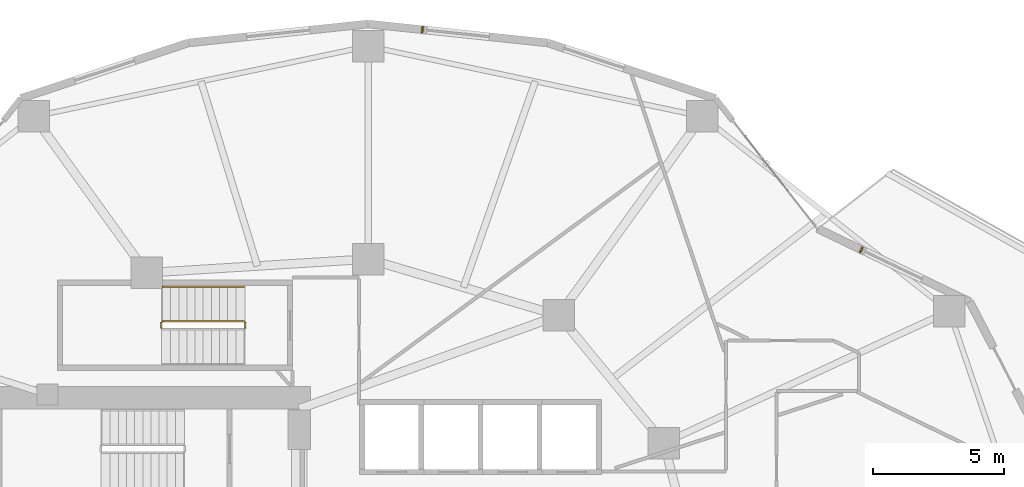
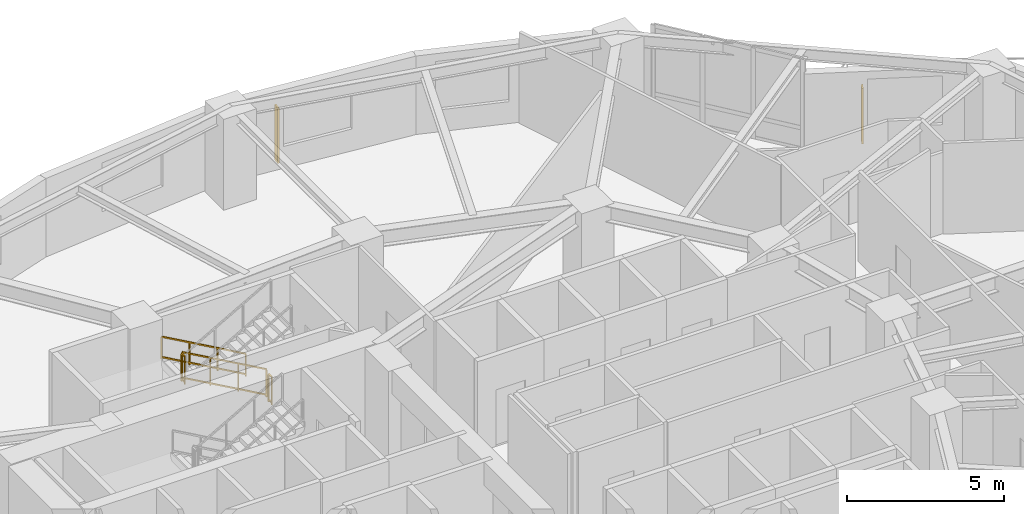
# One storey, part 12 of 12: 4 railings, 2 shading devices.
"""IFC4 building model written with IfcOpenShell, lengths in metres."""

from ifc_helpers import new_model, si_unit, direction, frame, origin, origin_2d, place, context, subcontext, project, spatial, rectangle, extrude, material, type_object, element, save


model = new_model("IFC4")

# Units and contexts
model_context = context("Model", 3, precision=1e-05, world=origin(), true_north=direction((0.0, 1.0)))
body_context = subcontext(model_context, "Body", "Model", "MODEL_VIEW")
ifc_project = project(units=[si_unit("LENGTHUNIT", "METRE"), si_unit("AREAUNIT", "SQUARE_METRE"), si_unit("VOLUMEUNIT", "CUBIC_METRE"), si_unit("PLANEANGLEUNIT", "RADIAN"), si_unit("MASSUNIT", "GRAM", prefix="KILO")], contexts=[model_context])

# Site, building, storey
site_placement = place(None, origin())
site = spatial("IfcSite", under=ifc_project, at=site_placement, CompositionType="ELEMENT")
building_placement = place(site_placement, origin())
building = spatial("IfcBuilding", under=site, at=building_placement, Name="Kolvaren Gate Tower and Convention Centre", CompositionType="ELEMENT")
storey_placement = place(building_placement, frame((0.0, 0.0, 91.949951171875)))
storey = spatial("IfcBuildingStorey", under=building, at=storey_placement, Name="L22", CompositionType="ELEMENT", Elevation=91.949951171875)

# Railings
ifc_material_1 = material(Name="Brushed Stainless Steel Grade 316L", Category="steel")
railing_type_1 = type_object("IfcRailingType", Name="ARCH-RL-GUARD-1150", PredefinedType="GUARDRAIL", material=ifc_material_1)
railing_1_placement = place(storey_placement, frame((25.39990234375, 36.830078125, 0.175048828125)))
element("IfcRailing", 1, at=railing_1_placement, inside=storey, type_object=railing_type_1, Name="L22 ST-T3 stair guard 1", PredefinedType="GUARDRAIL", context=body_context, shape_type="SweptSolid", body=[
    extrude(rectangle(XDim=0.048095703125, YDim=0.048095703125, at=origin_2d()), frame((0.0, 0.0, 1.076171875), z_axis=(-0.870814364268, 0.0, 0.491611984175), x_axis=(0.0, -1.0, 0.0)), (0.0, 0.0, 1.0), 3.559814453125),
    extrude(rectangle(XDim=0.048095703125, YDim=0.048095703125, at=origin_2d()), frame((0.0, 0.0, 0.083984375), z_axis=(-0.870814364268, 0.0, 0.491611984175), x_axis=(0.0, -1.0, 0.0)), (0.0, 0.0, 1.0), 3.559814453125),
    extrude(rectangle(XDim=0.0419921875, YDim=0.0419921875, at=origin_2d()), origin(), (0.0, 0.0, 1.0), 1.050048828125),
    extrude(rectangle(XDim=0.0419921875, YDim=0.0419921875, at=origin_2d()), frame((-3.099853515625, 0.0, 1.75)), (0.0, 0.0, 1.0), 1.050048828125),
    extrude(rectangle(XDim=0.0419921875, YDim=0.0419921875, at=origin_2d()), frame((-1.033203125, 0.0, 0.583251953125)), (0.0, 0.0, 1.0), 1.050048828125),
    extrude(rectangle(XDim=0.0419921875, YDim=0.0419921875, at=origin_2d()), frame((-2.066650390625, 0.0, 1.166748046875)), (0.0, 0.0, 1.0), 1.050048828125),
])
for number, where, name in (
    (2, (22.25, 36.780029296875, 1.925048828125), "L22 ST-T3 stair guard 2"),
    (3, (25.449951171875, 36.780029296875, 0.0), "L22 ST-T3 stair guard 4"),
):
    element("IfcRailing", number, at=place(storey_placement, frame(where)), inside=storey, type_object=railing_type_1, Name=name, PredefinedType="GUARDRAIL", context=body_context, shape_type="SweptSolid", body=[
        extrude(rectangle(XDim=0.048095703125, YDim=0.048095703125, at=origin_2d()), frame((0.0, 0.0, 1.076171875), z_axis=(0.0, -1.0, 0.0), x_axis=(1.0, 0.0, 0.0)), (0.0, 0.0, 1.0), 0.199951171875),
        extrude(rectangle(XDim=0.048095703125, YDim=0.048095703125, at=origin_2d()), frame((0.0, 0.0, 0.083984375), z_axis=(0.0, -1.0, 0.0), x_axis=(1.0, 0.0, 0.0)), (0.0, 0.0, 1.0), 0.199951171875),
        extrude(rectangle(XDim=0.0419921875, YDim=0.0419921875, at=origin_2d()), origin(), (0.0, 0.0, 1.0), 1.050048828125),
        extrude(rectangle(XDim=0.0419921875, YDim=0.0419921875, at=origin_2d()), frame((0.0, -0.199951171875, 0.0)), (0.0, 0.0, 1.0), 1.050048828125),
    ])
railing_type_2 = type_object("IfcRailingType", Name="ARCH-RL-HANDRAIL-920", PredefinedType="HANDRAIL", material=ifc_material_1)
railing_2_placement = place(storey_placement, frame((25.39990234375, 38.14990234375, 0.175048828125)))
element("IfcRailing", 4, at=railing_2_placement, inside=storey, type_object=railing_type_2, Name="L22 ST-T3 stair handrail 1", PredefinedType="HANDRAIL", context=body_context, shape_type="SweptSolid", body=[
    extrude(rectangle(XDim=0.048095703125, YDim=0.048095703125, at=origin_2d()), frame((0.0, 0.0, 0.8759765625), z_axis=(-0.870814364268, 0.0, 0.491611984175), x_axis=(0.0, -1.0, 0.0)), (0.0, 0.0, 1.0), 3.559814453125),
    extrude(rectangle(XDim=0.048095703125, YDim=0.048095703125, at=origin_2d()), frame((0.0, 0.0, 0.083984375), z_axis=(-0.870814364268, 0.0, 0.491611984175), x_axis=(0.0, -1.0, 0.0)), (0.0, 0.0, 1.0), 3.559814453125),
    extrude(rectangle(XDim=0.0419921875, YDim=0.0419921875, at=origin_2d()), origin(), (0.0, 0.0, 1.0), 0.849853515625),
    extrude(rectangle(XDim=0.0419921875, YDim=0.0419921875, at=origin_2d()), frame((-3.099853515625, 0.0, 1.75)), (0.0, 0.0, 1.0), 0.849853515625),
    extrude(rectangle(XDim=0.0419921875, YDim=0.0419921875, at=origin_2d()), frame((-1.033203125, 0.0, 0.583251953125)), (0.0, 0.0, 1.0), 0.849853515625),
    extrude(rectangle(XDim=0.0419921875, YDim=0.0419921875, at=origin_2d()), frame((-2.066650390625, 0.0, 1.166748046875)), (0.0, 0.0, 1.0), 0.849853515625),
])

# Shading devices
ifc_material_2 = material(Name="Kiln-Fired Bogota Terracotta Ceramic Louvre Profile", Category="masonry")
shading_device_type = type_object("IfcShadingDeviceType", Name="ARCH-SHD-FIN-180", PredefinedType="JALOUSIE", material=ifc_material_2)
for number, where, z_axis, x_axis, name in (
    (5, (48.89599609375, 39.556640625, 0.22021484375), (0.0, 0.0, 1.0), (0.901357634097, -0.433075530889, 0.0), "Ceramic Vertical Brise-Soleil Fin FN-L22-02"),
    (6, (32.193603515625, 47.93212890625, 0.22021484375), (0.0, 0.0, 1.0), (0.994498884311, -0.104747167526, 0.0), "Ceramic Vertical Brise-Soleil Fin FN-L22-05"),
):
    element("IfcShadingDevice", number, at=place(storey_placement, frame(where, z_axis=z_axis, x_axis=x_axis)), inside=storey, type_object=shading_device_type, Name=name, PredefinedType="JALOUSIE", context=body_context, shape_type="SweptSolid", body=[
        extrude(rectangle(XDim=0.06005859375, YDim=0.239990234375, at=origin_2d()), origin(), (0.0, 0.0, 1.0), 2.14990234375),
    ])

save(model, "model.ifc")
